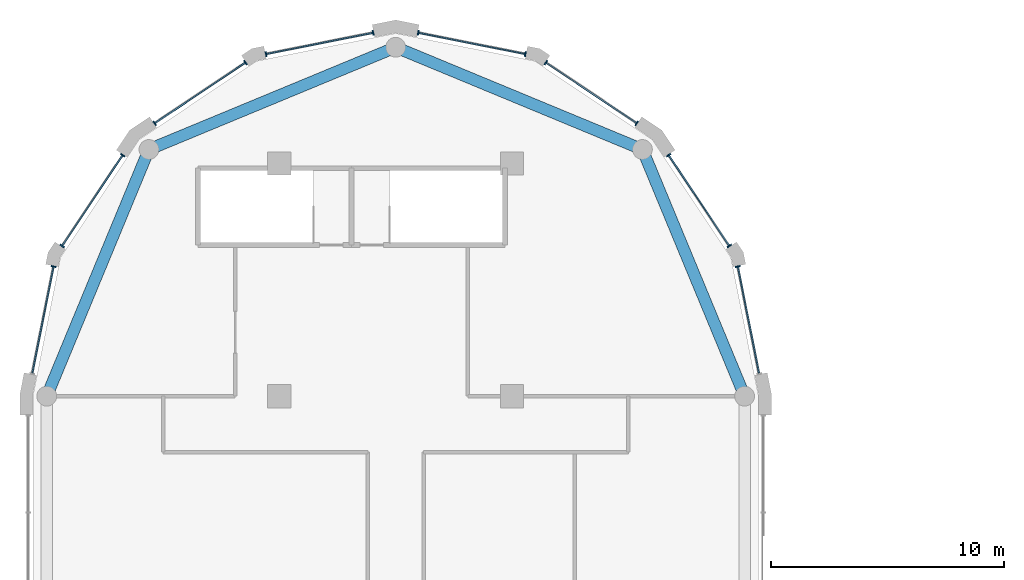
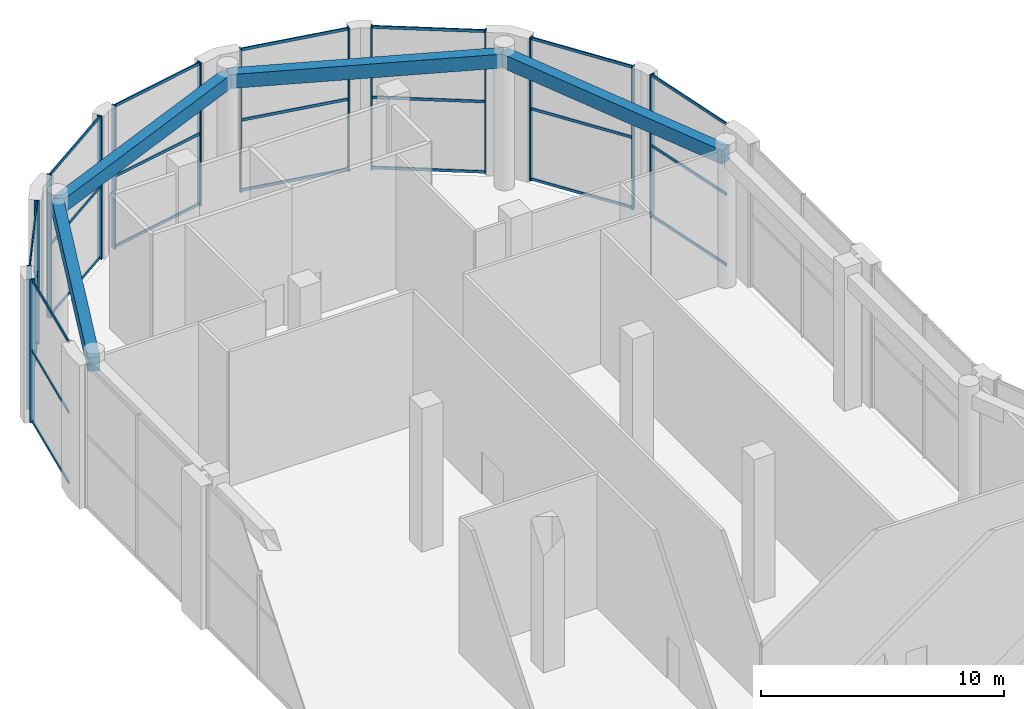
# One storey, part 8 of 14: 38 members, 4 beams, 8 elements without a shape of their own.
"""IFC4 building model written with IfcOpenShell, lengths in metres."""

from ifc_helpers import new_model, si_unit, direction, frame, origin, origin_2d, place, context, subcontext, project, spatial, rectangle, extrude, material, layer, layer_set, material_profile, profile_set, type_object, element, aggregate, save


model = new_model("IFC4")

# Units and contexts
model_context = context("Model", 3, precision=1e-05, world=origin(), true_north=direction((0.0, 1.0)))
body_context = subcontext(model_context, "Body", "Model", "MODEL_VIEW")
ifc_project = project(units=[si_unit("LENGTHUNIT", "METRE"), si_unit("AREAUNIT", "SQUARE_METRE"), si_unit("VOLUMEUNIT", "CUBIC_METRE"), si_unit("PLANEANGLEUNIT", "RADIAN"), si_unit("MASSUNIT", "GRAM", prefix="KILO")], contexts=[model_context])

# Site, building, storey
site_placement = place(None, origin())
site = spatial("IfcSite", under=ifc_project, at=site_placement, CompositionType="ELEMENT")
building_placement = place(site_placement, origin())
building = spatial("IfcBuilding", under=site, at=building_placement, Name="Qaws Garden Tower", CompositionType="ELEMENT")
storey_placement = place(building_placement, frame((0.0, 0.0, 358.199951171875)))
storey = spatial("IfcBuildingStorey", under=building, at=storey_placement, Name="L87", CompositionType="ELEMENT", Elevation=358.199951171875)

# Curtain wall, member
ifc_material_1 = material(Name="Anodised aluminium curtain wall frame", Category="aluminium")
ifc_layer = layer(ifc_material_1, 0.159912109375)
ifc_layer_set = layer_set([ifc_layer], Name="Anodised aluminium curtain wall frame")
curtain_wall_type = type_object("IfcCurtainWallType", Name="CW3 observation glazing curtain wall", PredefinedType="NOTDEFINED", material=ifc_layer_set)
placement = place(storey_placement, origin())
curtain_wall_1 = element("IfcCurtainWall", 1, at=placement, inside=storey, type_object=curtain_wall_type, Name="CW3 Observation glazing 09", PredefinedType="NOTDEFINED")
ifc_material_2 = material(Name="Anodised aluminium curtain wall frame", Category="aluminium")
ifc_material_profile_1 = material_profile(ifc_material_2, rectangle(XDim=0.219970703125, YDim=0.06005859375, at=origin_2d()), Name="AL 60x220")
ifc_profile_set_1 = profile_set([ifc_material_profile_1], Name="Anodised aluminium curtain wall frame")
member_type_1 = type_object("IfcMemberType", Name="CW3 mullion 60 x 220", PredefinedType="MULLION", material=ifc_profile_set_1)
member_1_placement = place(storey_placement, frame((29.707275390625, 65.57275390625, 0.0), z_axis=(0.0, 0.0, 1.0), x_axis=(-0.980785280407, -0.195090321999, 0.0)))
member_1 = element("IfcMember", 2, at=member_1_placement, type_object=member_type_1, Name="CW3 mullion 2", PredefinedType="MULLION", context=body_context, shape_type="SweptSolid", body=[
    extrude(rectangle(XDim=0.219970703125, YDim=0.06005859375, at=origin_2d()), origin(), (0.0, 0.0, 1.0), 7.199951171875),
])

# Curtain wall, members
curtain_wall_2 = element("IfcCurtainWall", 3, at=placement, inside=storey, type_object=curtain_wall_type, Name="CW3 Observation glazing 10", PredefinedType="NOTDEFINED")
member_2_placement = place(storey_placement, frame((29.340087890625, 66.458984375, 0.0), z_axis=(0.0, 0.0, 1.0), x_axis=(-0.831469612206, -0.555570233165, 0.0)))
member_2 = element("IfcMember", 4, at=member_2_placement, type_object=member_type_1, Name="CW3 mullion 1", PredefinedType="MULLION", context=body_context, shape_type="SweptSolid", body=[
    extrude(rectangle(XDim=0.219970703125, YDim=0.06005859375, at=origin_2d()), origin(), (0.0, 0.0, 1.0), 7.199951171875),
])
member_3_placement = place(storey_placement, frame((26.73291015625, 70.36083984375, 0.0), z_axis=(0.0, 0.0, 1.0), x_axis=(-0.831469612206, -0.555570233165, 0.0)))
member_3 = element("IfcMember", 5, at=member_3_placement, type_object=member_type_1, Name="CW3 mullion 2", PredefinedType="MULLION", context=body_context, shape_type="SweptSolid", body=[
    extrude(rectangle(XDim=0.219970703125, YDim=0.06005859375, at=origin_2d()), origin(), (0.0, 0.0, 1.0), 7.199951171875),
])

curtain_wall_3 = element("IfcCurtainWall", 6, at=placement, inside=storey, type_object=curtain_wall_type, Name="CW3 Observation glazing 11", PredefinedType="NOTDEFINED")
member_4_placement = place(storey_placement, frame((25.36083984375, 71.73291015625, 0.0), z_axis=(0.0, 0.0, 1.0), x_axis=(-0.555570233165, -0.831469612206, 0.0)))
member_4 = element("IfcMember", 7, at=member_4_placement, type_object=member_type_1, Name="CW3 mullion 1", PredefinedType="MULLION", context=body_context, shape_type="SweptSolid", body=[
    extrude(rectangle(XDim=0.219970703125, YDim=0.06005859375, at=origin_2d()), origin(), (0.0, 0.0, 1.0), 7.199951171875),
])
member_5_placement = place(storey_placement, frame((21.458984375, 74.340087890625, 0.0), z_axis=(0.0, 0.0, 1.0), x_axis=(-0.555570233165, -0.831469612206, 0.0)))
member_5 = element("IfcMember", 8, at=member_5_placement, type_object=member_type_1, Name="CW3 mullion 2", PredefinedType="MULLION", context=body_context, shape_type="SweptSolid", body=[
    extrude(rectangle(XDim=0.219970703125, YDim=0.06005859375, at=origin_2d()), origin(), (0.0, 0.0, 1.0), 7.199951171875),
])

curtain_wall_4 = element("IfcCurtainWall", 9, at=placement, inside=storey, type_object=curtain_wall_type, Name="CW3 Observation glazing 12", PredefinedType="NOTDEFINED")
member_6_placement = place(storey_placement, frame((20.57275390625, 74.707275390625, 0.0), z_axis=(0.0, 0.0, 1.0), x_axis=(-0.195090321999, -0.980785280407, 0.0)))
member_6 = element("IfcMember", 10, at=member_6_placement, type_object=member_type_1, Name="CW3 mullion 1", PredefinedType="MULLION", context=body_context, shape_type="SweptSolid", body=[
    extrude(rectangle(XDim=0.219970703125, YDim=0.06005859375, at=origin_2d()), origin(), (0.0, 0.0, 1.0), 7.199951171875),
])
member_7_placement = place(storey_placement, frame((15.97021484375, 75.622802734375, 0.0), z_axis=(0.0, 0.0, 1.0), x_axis=(-0.195090321999, -0.980785280407, 0.0)))
member_7 = element("IfcMember", 11, at=member_7_placement, type_object=member_type_1, Name="CW3 mullion 2", PredefinedType="MULLION", context=body_context, shape_type="SweptSolid", body=[
    extrude(rectangle(XDim=0.219970703125, YDim=0.06005859375, at=origin_2d()), origin(), (0.0, 0.0, 1.0), 7.199951171875),
])

curtain_wall_5 = element("IfcCurtainWall", 12, at=placement, inside=storey, type_object=curtain_wall_type, Name="CW3 Observation glazing 13", PredefinedType="NOTDEFINED")
member_8_placement = place(storey_placement, frame((14.02978515625, 75.622802734375, 0.0), z_axis=(0.0, 0.0, 1.0), x_axis=(0.195090321999, -0.980785280407, 0.0)))
member_8 = element("IfcMember", 13, at=member_8_placement, type_object=member_type_1, Name="CW3 mullion 1", PredefinedType="MULLION", context=body_context, shape_type="SweptSolid", body=[
    extrude(rectangle(XDim=0.219970703125, YDim=0.06005859375, at=origin_2d()), origin(), (0.0, 0.0, 1.0), 7.199951171875),
])
member_9_placement = place(storey_placement, frame((9.42724609375, 74.707275390625, 0.0), z_axis=(0.0, 0.0, 1.0), x_axis=(0.195090321999, -0.980785280407, 0.0)))
member_9 = element("IfcMember", 14, at=member_9_placement, type_object=member_type_1, Name="CW3 mullion 2", PredefinedType="MULLION", context=body_context, shape_type="SweptSolid", body=[
    extrude(rectangle(XDim=0.219970703125, YDim=0.06005859375, at=origin_2d()), origin(), (0.0, 0.0, 1.0), 7.199951171875),
])

curtain_wall_6 = element("IfcCurtainWall", 15, at=placement, inside=storey, type_object=curtain_wall_type, Name="CW3 Observation glazing 14", PredefinedType="NOTDEFINED")
member_10_placement = place(storey_placement, frame((8.541015625, 74.340087890625, 0.0), z_axis=(0.0, 0.0, 1.0), x_axis=(0.555570233165, -0.831469612206, 0.0)))
member_10 = element("IfcMember", 16, at=member_10_placement, type_object=member_type_1, Name="CW3 mullion 1", PredefinedType="MULLION", context=body_context, shape_type="SweptSolid", body=[
    extrude(rectangle(XDim=0.219970703125, YDim=0.06005859375, at=origin_2d()), origin(), (0.0, 0.0, 1.0), 7.199951171875),
])
member_11_placement = place(storey_placement, frame((4.63916015625, 71.73291015625, 0.0), z_axis=(0.0, 0.0, 1.0), x_axis=(0.555570233165, -0.831469612206, 0.0)))
member_11 = element("IfcMember", 17, at=member_11_placement, type_object=member_type_1, Name="CW3 mullion 2", PredefinedType="MULLION", context=body_context, shape_type="SweptSolid", body=[
    extrude(rectangle(XDim=0.219970703125, YDim=0.06005859375, at=origin_2d()), origin(), (0.0, 0.0, 1.0), 7.199951171875),
])

curtain_wall_7 = element("IfcCurtainWall", 18, at=placement, inside=storey, type_object=curtain_wall_type, Name="CW3 Observation glazing 15", PredefinedType="NOTDEFINED")
member_12_placement = place(storey_placement, frame((3.26708984375, 70.36083984375, 0.0), z_axis=(0.0, 0.0, 1.0), x_axis=(0.831469612206, -0.555570233165, 0.0)))
member_12 = element("IfcMember", 19, at=member_12_placement, type_object=member_type_1, Name="CW3 mullion 1", PredefinedType="MULLION", context=body_context, shape_type="SweptSolid", body=[
    extrude(rectangle(XDim=0.219970703125, YDim=0.06005859375, at=origin_2d()), origin(), (0.0, 0.0, 1.0), 7.199951171875),
])
member_13_placement = place(storey_placement, frame((0.659912109375, 66.458984375, 0.0), z_axis=(0.0, 0.0, 1.0), x_axis=(0.831469612206, -0.555570233165, 0.0)))
member_13 = element("IfcMember", 20, at=member_13_placement, type_object=member_type_1, Name="CW3 mullion 2", PredefinedType="MULLION", context=body_context, shape_type="SweptSolid", body=[
    extrude(rectangle(XDim=0.219970703125, YDim=0.06005859375, at=origin_2d()), origin(), (0.0, 0.0, 1.0), 7.199951171875),
])

# Curtain wall, member
curtain_wall_8 = element("IfcCurtainWall", 21, at=placement, inside=storey, type_object=curtain_wall_type, Name="CW3 Observation glazing 16", PredefinedType="NOTDEFINED")
member_14_placement = place(storey_placement, frame((0.292724609375, 65.57275390625, 0.0), z_axis=(0.0, 0.0, 1.0), x_axis=(0.980785280407, -0.195090321999, 0.0)))
member_14 = element("IfcMember", 22, at=member_14_placement, type_object=member_type_1, Name="CW3 mullion 1", PredefinedType="MULLION", context=body_context, shape_type="SweptSolid", body=[
    extrude(rectangle(XDim=0.219970703125, YDim=0.06005859375, at=origin_2d()), origin(), (0.0, 0.0, 1.0), 7.199951171875),
])

# Member
ifc_material_3 = material(Name="Anodised aluminium curtain wall frame", Category="aluminium")
ifc_material_profile_2 = material_profile(ifc_material_3, rectangle(XDim=0.06005859375, YDim=0.139892578125, at=origin_2d()), Name="AL 60x140")
ifc_profile_set_2 = profile_set([ifc_material_profile_2], Name="Anodised aluminium curtain wall frame")
member_type_2 = type_object("IfcMemberType", Name="CW3 transom 140 x 60", PredefinedType="USERDEFINED", material=ifc_profile_set_2)
member_15_placement = place(storey_placement, frame((30.616943359375, 60.99951171875, 0.070068359375), z_axis=(-0.195092447628, 0.98078485759, 0.0), x_axis=(-0.98078485759, -0.195092447628, 0.0)))
member_15 = element("IfcMember", 23, at=member_15_placement, type_object=member_type_2, Name="CW3 transom 1.1", ObjectType="TRANSOM", PredefinedType="USERDEFINED", context=body_context, shape_type="SweptSolid", body=[
    extrude(rectangle(XDim=0.06005859375, YDim=0.139892578125, at=origin_2d()), origin(), (0.0, 0.0, 1.0), 4.6328125),
])

member_16_placement = place(storey_placement, frame((30.616943359375, 60.99951171875, 3.60009765625), z_axis=(-0.195092447628, 0.98078485759, 0.0), x_axis=(-0.98078485759, -0.195092447628, 0.0)))
member_16 = element("IfcMember", 24, at=member_16_placement, type_object=member_type_2, Name="CW3 transom 1.2", ObjectType="TRANSOM", PredefinedType="USERDEFINED", context=body_context, shape_type="SweptSolid", body=[
    extrude(rectangle(XDim=0.06005859375, YDim=0.139892578125, at=origin_2d()), origin(), (0.0, 0.0, 1.0), 4.6328125),
])

member_17_placement = place(storey_placement, frame((30.616943359375, 60.99951171875, 7.130126953125), z_axis=(-0.195092447628, 0.98078485759, 0.0), x_axis=(-0.98078485759, -0.195092447628, 0.0)))
member_17 = element("IfcMember", 25, at=member_17_placement, type_object=member_type_2, Name="CW3 transom 1.3", ObjectType="TRANSOM", PredefinedType="USERDEFINED", context=body_context, shape_type="SweptSolid", body=[
    extrude(rectangle(XDim=0.06005859375, YDim=0.139892578125, at=origin_2d()), origin(), (0.0, 0.0, 1.0), 4.6328125),
])

aggregate(curtain_wall_1, [member_1, member_15, member_16, member_17])

member_18_placement = place(storey_placement, frame((29.3232421875, 66.484130859375, 0.070068359375), z_axis=(-0.555575538949, 0.83146606697, 0.0), x_axis=(-0.83146606697, -0.555575538949, 0.0)))
member_18 = element("IfcMember", 26, at=member_18_placement, type_object=member_type_2, Name="CW3 transom 1.1", ObjectType="TRANSOM", PredefinedType="USERDEFINED", context=body_context, shape_type="SweptSolid", body=[
    extrude(rectangle(XDim=0.06005859375, YDim=0.139892578125, at=origin_2d()), origin(), (0.0, 0.0, 1.0), 4.632568359375),
])

member_19_placement = place(storey_placement, frame((29.3232421875, 66.484130859375, 3.60009765625), z_axis=(-0.555575538949, 0.83146606697, 0.0), x_axis=(-0.83146606697, -0.555575538949, 0.0)))
member_19 = element("IfcMember", 27, at=member_19_placement, type_object=member_type_2, Name="CW3 transom 1.2", ObjectType="TRANSOM", PredefinedType="USERDEFINED", context=body_context, shape_type="SweptSolid", body=[
    extrude(rectangle(XDim=0.06005859375, YDim=0.139892578125, at=origin_2d()), origin(), (0.0, 0.0, 1.0), 4.632568359375),
])

member_20_placement = place(storey_placement, frame((29.3232421875, 66.484130859375, 7.130126953125), z_axis=(-0.555575538949, 0.83146606697, 0.0), x_axis=(-0.83146606697, -0.555575538949, 0.0)))
member_20 = element("IfcMember", 28, at=member_20_placement, type_object=member_type_2, Name="CW3 transom 1.3", ObjectType="TRANSOM", PredefinedType="USERDEFINED", context=body_context, shape_type="SweptSolid", body=[
    extrude(rectangle(XDim=0.06005859375, YDim=0.139892578125, at=origin_2d()), origin(), (0.0, 0.0, 1.0), 4.632568359375),
])

aggregate(curtain_wall_2, [member_2, member_3, member_18, member_19, member_20])

member_21_placement = place(storey_placement, frame((25.3359375, 71.74951171875, 0.070068359375), z_axis=(-0.83146606697, 0.555575538949, 0.0), x_axis=(-0.555575538949, -0.83146606697, 0.0)))
member_21 = element("IfcMember", 29, at=member_21_placement, type_object=member_type_2, Name="CW3 transom 1.1", ObjectType="TRANSOM", PredefinedType="USERDEFINED", context=body_context, shape_type="SweptSolid", body=[
    extrude(rectangle(XDim=0.06005859375, YDim=0.139892578125, at=origin_2d()), origin(), (0.0, 0.0, 1.0), 4.632568359375),
])

member_22_placement = place(storey_placement, frame((25.3359375, 71.74951171875, 3.60009765625), z_axis=(-0.83146606697, 0.555575538949, 0.0), x_axis=(-0.555575538949, -0.83146606697, 0.0)))
member_22 = element("IfcMember", 30, at=member_22_placement, type_object=member_type_2, Name="CW3 transom 1.2", ObjectType="TRANSOM", PredefinedType="USERDEFINED", context=body_context, shape_type="SweptSolid", body=[
    extrude(rectangle(XDim=0.06005859375, YDim=0.139892578125, at=origin_2d()), origin(), (0.0, 0.0, 1.0), 4.632568359375),
])

member_23_placement = place(storey_placement, frame((25.3359375, 71.74951171875, 7.130126953125), z_axis=(-0.83146606697, 0.555575538949, 0.0), x_axis=(-0.555575538949, -0.83146606697, 0.0)))
member_23 = element("IfcMember", 31, at=member_23_placement, type_object=member_type_2, Name="CW3 transom 1.3", ObjectType="TRANSOM", PredefinedType="USERDEFINED", context=body_context, shape_type="SweptSolid", body=[
    extrude(rectangle(XDim=0.06005859375, YDim=0.139892578125, at=origin_2d()), origin(), (0.0, 0.0, 1.0), 4.632568359375),
])

aggregate(curtain_wall_3, [member_4, member_5, member_21, member_22, member_23])

member_24_placement = place(storey_placement, frame((20.543212890625, 74.713134765625, 0.070068359375), z_axis=(-0.98078485759, 0.195092447628, 0.0), x_axis=(-0.195092447628, -0.98078485759, 0.0)))
member_24 = element("IfcMember", 32, at=member_24_placement, type_object=member_type_2, Name="CW3 transom 1.1", ObjectType="TRANSOM", PredefinedType="USERDEFINED", context=body_context, shape_type="SweptSolid", body=[
    extrude(rectangle(XDim=0.06005859375, YDim=0.139892578125, at=origin_2d()), origin(), (0.0, 0.0, 1.0), 4.6328125),
])

member_25_placement = place(storey_placement, frame((20.543212890625, 74.713134765625, 3.60009765625), z_axis=(-0.98078485759, 0.195092447628, 0.0), x_axis=(-0.195092447628, -0.98078485759, 0.0)))
member_25 = element("IfcMember", 33, at=member_25_placement, type_object=member_type_2, Name="CW3 transom 1.2", ObjectType="TRANSOM", PredefinedType="USERDEFINED", context=body_context, shape_type="SweptSolid", body=[
    extrude(rectangle(XDim=0.06005859375, YDim=0.139892578125, at=origin_2d()), origin(), (0.0, 0.0, 1.0), 4.6328125),
])

member_26_placement = place(storey_placement, frame((20.543212890625, 74.713134765625, 7.130126953125), z_axis=(-0.98078485759, 0.195092447628, 0.0), x_axis=(-0.195092447628, -0.98078485759, 0.0)))
member_26 = element("IfcMember", 34, at=member_26_placement, type_object=member_type_2, Name="CW3 transom 1.3", ObjectType="TRANSOM", PredefinedType="USERDEFINED", context=body_context, shape_type="SweptSolid", body=[
    extrude(rectangle(XDim=0.06005859375, YDim=0.139892578125, at=origin_2d()), origin(), (0.0, 0.0, 1.0), 4.6328125),
])

aggregate(curtain_wall_4, [member_6, member_7, member_24, member_25, member_26])

member_27_placement = place(storey_placement, frame((14.00048828125, 75.616943359375, 0.070068359375), z_axis=(-0.98078485759, -0.195092447628, 0.0), x_axis=(0.195092447628, -0.98078485759, 0.0)))
member_27 = element("IfcMember", 35, at=member_27_placement, type_object=member_type_2, Name="CW3 transom 1.1", ObjectType="TRANSOM", PredefinedType="USERDEFINED", context=body_context, shape_type="SweptSolid", body=[
    extrude(rectangle(XDim=0.06005859375, YDim=0.139892578125, at=origin_2d()), origin(), (0.0, 0.0, 1.0), 4.6328125),
])

member_28_placement = place(storey_placement, frame((14.00048828125, 75.616943359375, 3.60009765625), z_axis=(-0.98078485759, -0.195092447628, 0.0), x_axis=(0.195092447628, -0.98078485759, 0.0)))
member_28 = element("IfcMember", 36, at=member_28_placement, type_object=member_type_2, Name="CW3 transom 1.2", ObjectType="TRANSOM", PredefinedType="USERDEFINED", context=body_context, shape_type="SweptSolid", body=[
    extrude(rectangle(XDim=0.06005859375, YDim=0.139892578125, at=origin_2d()), origin(), (0.0, 0.0, 1.0), 4.6328125),
])

member_29_placement = place(storey_placement, frame((14.00048828125, 75.616943359375, 7.130126953125), z_axis=(-0.98078485759, -0.195092447628, 0.0), x_axis=(0.195092447628, -0.98078485759, 0.0)))
member_29 = element("IfcMember", 37, at=member_29_placement, type_object=member_type_2, Name="CW3 transom 1.3", ObjectType="TRANSOM", PredefinedType="USERDEFINED", context=body_context, shape_type="SweptSolid", body=[
    extrude(rectangle(XDim=0.06005859375, YDim=0.139892578125, at=origin_2d()), origin(), (0.0, 0.0, 1.0), 4.6328125),
])

aggregate(curtain_wall_5, [member_8, member_9, member_27, member_28, member_29])

member_30_placement = place(storey_placement, frame((8.515869140625, 74.3232421875, 0.070068359375), z_axis=(-0.83146606697, -0.555575538949, 0.0), x_axis=(0.555575538949, -0.83146606697, 0.0)))
member_30 = element("IfcMember", 38, at=member_30_placement, type_object=member_type_2, Name="CW3 transom 1.1", ObjectType="TRANSOM", PredefinedType="USERDEFINED", context=body_context, shape_type="SweptSolid", body=[
    extrude(rectangle(XDim=0.06005859375, YDim=0.139892578125, at=origin_2d()), origin(), (0.0, 0.0, 1.0), 4.632568359375),
])

member_31_placement = place(storey_placement, frame((8.515869140625, 74.3232421875, 3.60009765625), z_axis=(-0.83146606697, -0.555575538949, 0.0), x_axis=(0.555575538949, -0.83146606697, 0.0)))
member_31 = element("IfcMember", 39, at=member_31_placement, type_object=member_type_2, Name="CW3 transom 1.2", ObjectType="TRANSOM", PredefinedType="USERDEFINED", context=body_context, shape_type="SweptSolid", body=[
    extrude(rectangle(XDim=0.06005859375, YDim=0.139892578125, at=origin_2d()), origin(), (0.0, 0.0, 1.0), 4.632568359375),
])

member_32_placement = place(storey_placement, frame((8.515869140625, 74.3232421875, 7.130126953125), z_axis=(-0.83146606697, -0.555575538949, 0.0), x_axis=(0.555575538949, -0.83146606697, 0.0)))
member_32 = element("IfcMember", 40, at=member_32_placement, type_object=member_type_2, Name="CW3 transom 1.3", ObjectType="TRANSOM", PredefinedType="USERDEFINED", context=body_context, shape_type="SweptSolid", body=[
    extrude(rectangle(XDim=0.06005859375, YDim=0.139892578125, at=origin_2d()), origin(), (0.0, 0.0, 1.0), 4.632568359375),
])

aggregate(curtain_wall_6, [member_10, member_11, member_30, member_31, member_32])

member_33_placement = place(storey_placement, frame((3.25048828125, 70.3359375, 0.070068359375), z_axis=(-0.555575538949, -0.83146606697, 0.0), x_axis=(0.83146606697, -0.555575538949, 0.0)))
member_33 = element("IfcMember", 41, at=member_33_placement, type_object=member_type_2, Name="CW3 transom 1.1", ObjectType="TRANSOM", PredefinedType="USERDEFINED", context=body_context, shape_type="SweptSolid", body=[
    extrude(rectangle(XDim=0.06005859375, YDim=0.139892578125, at=origin_2d()), origin(), (0.0, 0.0, 1.0), 4.632568359375),
])

member_34_placement = place(storey_placement, frame((3.25048828125, 70.3359375, 3.60009765625), z_axis=(-0.555575538949, -0.83146606697, 0.0), x_axis=(0.83146606697, -0.555575538949, 0.0)))
member_34 = element("IfcMember", 42, at=member_34_placement, type_object=member_type_2, Name="CW3 transom 1.2", ObjectType="TRANSOM", PredefinedType="USERDEFINED", context=body_context, shape_type="SweptSolid", body=[
    extrude(rectangle(XDim=0.06005859375, YDim=0.139892578125, at=origin_2d()), origin(), (0.0, 0.0, 1.0), 4.632568359375),
])

member_35_placement = place(storey_placement, frame((3.25048828125, 70.3359375, 7.130126953125), z_axis=(-0.555575538949, -0.83146606697, 0.0), x_axis=(0.83146606697, -0.555575538949, 0.0)))
member_35 = element("IfcMember", 43, at=member_35_placement, type_object=member_type_2, Name="CW3 transom 1.3", ObjectType="TRANSOM", PredefinedType="USERDEFINED", context=body_context, shape_type="SweptSolid", body=[
    extrude(rectangle(XDim=0.06005859375, YDim=0.139892578125, at=origin_2d()), origin(), (0.0, 0.0, 1.0), 4.632568359375),
])

aggregate(curtain_wall_7, [member_12, member_13, member_33, member_34, member_35])

member_36_placement = place(storey_placement, frame((0.286865234375, 65.543212890625, 0.070068359375), z_axis=(-0.195092447628, -0.98078485759, 0.0), x_axis=(0.98078485759, -0.195092447628, 0.0)))
member_36 = element("IfcMember", 44, at=member_36_placement, type_object=member_type_2, Name="CW3 transom 1.1", ObjectType="TRANSOM", PredefinedType="USERDEFINED", context=body_context, shape_type="SweptSolid", body=[
    extrude(rectangle(XDim=0.06005859375, YDim=0.139892578125, at=origin_2d()), origin(), (0.0, 0.0, 1.0), 4.6328125),
])

member_37_placement = place(storey_placement, frame((0.286865234375, 65.543212890625, 3.60009765625), z_axis=(-0.195092447628, -0.98078485759, 0.0), x_axis=(0.98078485759, -0.195092447628, 0.0)))
member_37 = element("IfcMember", 45, at=member_37_placement, type_object=member_type_2, Name="CW3 transom 1.2", ObjectType="TRANSOM", PredefinedType="USERDEFINED", context=body_context, shape_type="SweptSolid", body=[
    extrude(rectangle(XDim=0.06005859375, YDim=0.139892578125, at=origin_2d()), origin(), (0.0, 0.0, 1.0), 4.6328125),
])

member_38_placement = place(storey_placement, frame((0.286865234375, 65.543212890625, 7.130126953125), z_axis=(-0.195092447628, -0.98078485759, 0.0), x_axis=(0.98078485759, -0.195092447628, 0.0)))
member_38 = element("IfcMember", 46, at=member_38_placement, type_object=member_type_2, Name="CW3 transom 1.3", ObjectType="TRANSOM", PredefinedType="USERDEFINED", context=body_context, shape_type="SweptSolid", body=[
    extrude(rectangle(XDim=0.06005859375, YDim=0.139892578125, at=origin_2d()), origin(), (0.0, 0.0, 1.0), 4.6328125),
])

aggregate(curtain_wall_8, [member_14, member_36, member_37, member_38])

# Beams
ifc_material_4 = material(Name="Concrete C45", Category="concrete")
ifc_material_profile_3 = material_profile(ifc_material_4, rectangle(XDim=0.5, YDim=0.699951171875, at=origin_2d()), Name="RC 500x700")
ifc_profile_set_3 = profile_set([ifc_material_profile_3], Name="Concrete C45")
beam_type = type_object("IfcBeamType", Name="Spandrel beam RC 500x700 C45", PredefinedType="SPANDREL", material=ifc_profile_set_3)
for number, where, z_axis, x_axis, name in (
    (47, (30.0, 60.0, 6.400146484375), (-0.382674207535, 0.923883353507, 0.0), (-0.923883353507, -0.382674207535, 0.0), "Spandrel beam L87-010"),
    (48, (25.606689453125, 70.606689453125, 6.400146484375), (-0.923883353507, 0.382674207535, 0.0), (-0.382674207535, -0.923883353507, 0.0), "Spandrel beam L87-011"),
    (49, (15.0, 75.0, 6.400146484375), (-0.923883353507, -0.382674207535, 0.0), (0.382674207535, -0.923883353507, 0.0), "Spandrel beam L87-012"),
    (50, (4.393310546875, 70.606689453125, 6.400146484375), (-0.382674207535, -0.923883353507, 0.0), (0.923883353507, -0.382674207535, 0.0), "Spandrel beam L87-013"),
):
    element("IfcBeam", number, at=place(storey_placement, frame(where, z_axis=z_axis, x_axis=x_axis)), inside=storey, type_object=beam_type, Name=name, PredefinedType="SPANDREL", context=body_context, shape_type="SweptSolid", body=[
        extrude(rectangle(XDim=0.5, YDim=0.699951171875, at=origin_2d()), origin(), (0.0, 0.0, 1.0), 11.48046875),
    ])

save(model, "model.ifc")
